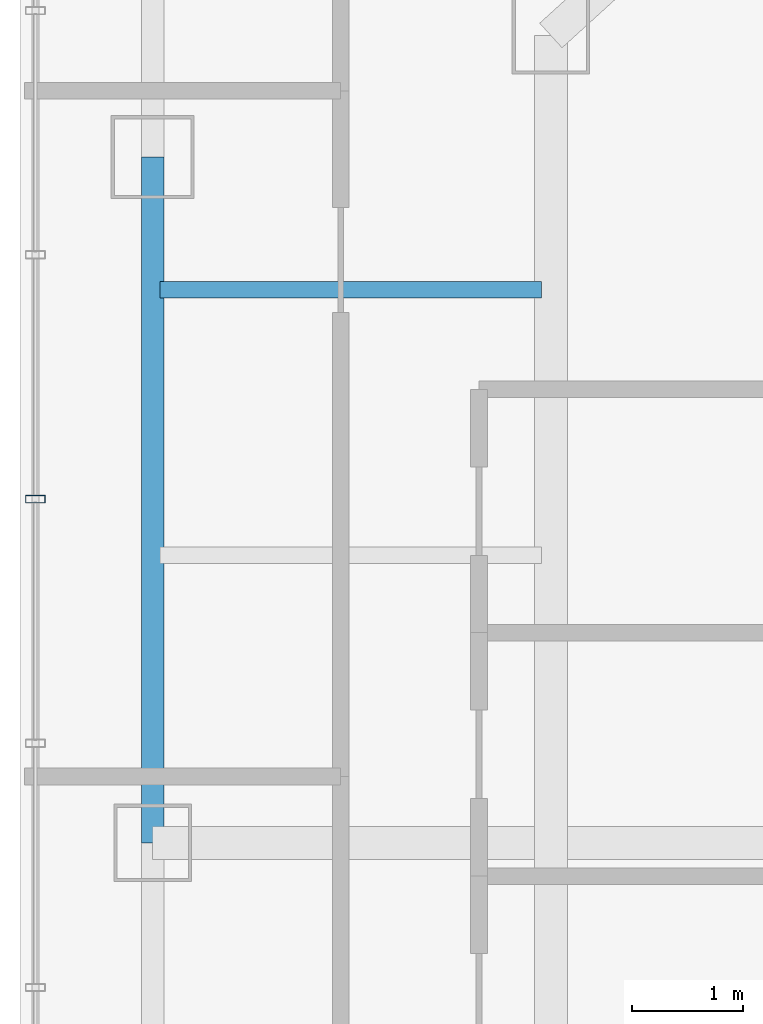
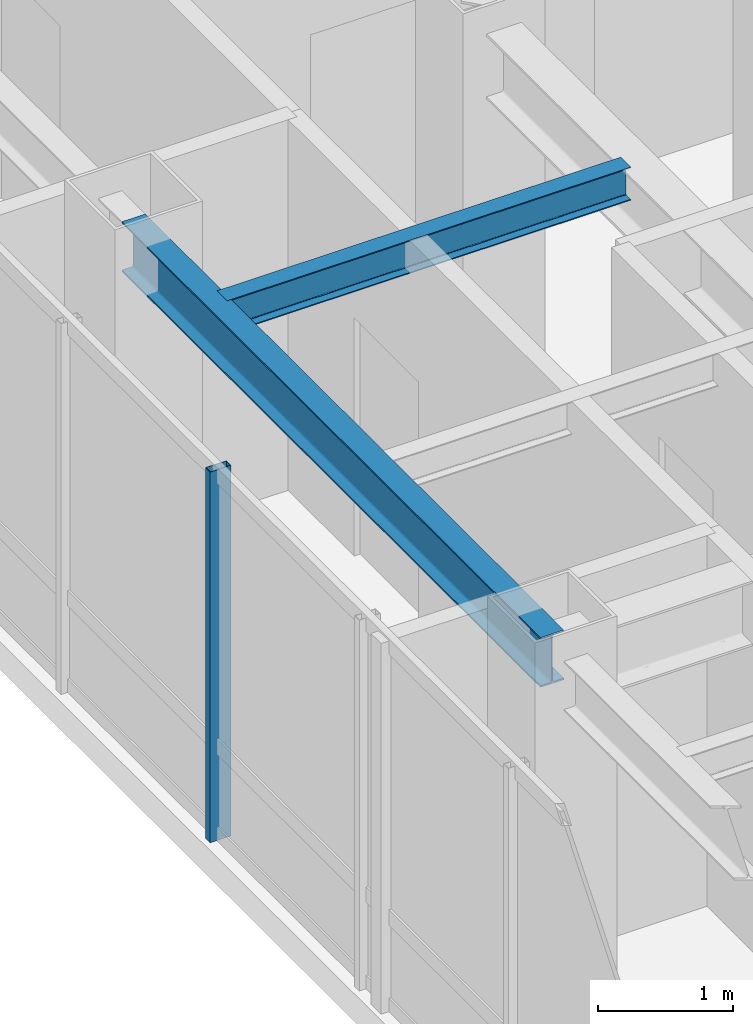
# One storey, part 8 of 26: 2 beams, 1 member, 1 element without a shape of its own.
"""IFC4 building model written with IfcOpenShell, lengths in metres."""

from ifc_helpers import new_model, si_unit, direction, frame, origin, origin_2d, place, context, subcontext, project, spatial, hollow_rectangle, i_section, extrude, material, layer, layer_set, material_profile, profile_set, type_object, element, aggregate, save


model = new_model("IFC4")

# Units and contexts
model_context = context("Model", 3, precision=1e-05, world=origin(), true_north=direction((0.0, 1.0)))
body_context = subcontext(model_context, "Body", "Model", "MODEL_VIEW")
ifc_project = project(units=[si_unit("LENGTHUNIT", "METRE"), si_unit("AREAUNIT", "SQUARE_METRE"), si_unit("VOLUMEUNIT", "CUBIC_METRE"), si_unit("PLANEANGLEUNIT", "RADIAN"), si_unit("MASSUNIT", "GRAM", prefix="KILO")], contexts=[model_context])

# Site, building, storey
site_placement = place(None, origin())
site = spatial("IfcSite", under=ifc_project, at=site_placement, CompositionType="ELEMENT")
building_placement = place(site_placement, origin())
building = spatial("IfcBuilding", under=site, at=building_placement, Name="Hatsunagi Terrace Concourse", CompositionType="ELEMENT")
storey_placement = place(building_placement, frame((0.0, 0.0, 195.14990234375)))
storey = spatial("IfcBuildingStorey", under=building, at=storey_placement, Name="L51", CompositionType="ELEMENT", Elevation=195.14990234375)

# Curtain wall, member
ifc_material_1 = material(Name="Anodised Aluminium Alloy 6063-T5", Category="aluminium")
ifc_layer = layer(ifc_material_1, 0.199951171875)
ifc_layer_set = layer_set([ifc_layer], Name="OfficeZone2_CW04")
curtain_wall_type = type_object("IfcCurtainWallType", Name="OfficeZone2_CW04", PredefinedType="NOTDEFINED", material=ifc_layer_set)
curtain_wall_placement = place(storey_placement, origin())
curtain_wall = element("IfcCurtainWall", 1, at=curtain_wall_placement, inside=storey, type_object=curtain_wall_type, Name="Unitised Curtain Wall CW-04 CW-L51-08", PredefinedType="NOTDEFINED")
ifc_material_2 = material(Name="Anodised Aluminium Alloy 6063-T5", Category="aluminium")
ifc_material_profile_1 = material_profile(ifc_material_2, hollow_rectangle(XDim=0.070068359375, YDim=0.179931640625, WallThickness=0.00390625, at=origin_2d()), Name="ALU-MUL-180x70x4")
ifc_profile_set_1 = profile_set([ifc_material_profile_1], Name="Anodised Aluminium Alloy 6063-T5")
member_type = type_object("IfcMemberType", Name="CurtainWallMullion_180x70", PredefinedType="MULLION", material=ifc_profile_set_1)
member_placement = place(storey_placement, frame((18.139892578125, 39.10791015625, 0.0), z_axis=(0.0, 0.0, 1.0), x_axis=(0.0, 1.0, 0.0)))
member = element("IfcMember", 2, at=member_placement, type_object=member_type, Name="Curtain Wall Mullion MUL-02", PredefinedType="MULLION", context=body_context, shape_type="SweptSolid", body=[
    extrude(hollow_rectangle(XDim=0.070068359375, YDim=0.179931640625, WallThickness=0.00390625, at=origin_2d()), origin(), (0.0, 0.0, 1.0), 3.35009765625),
])
aggregate(curtain_wall, [member])

# Beams
ifc_material_3 = material(Name="Steel SN490B", Category="steel")
ifc_material_profile_2 = material_profile(ifc_material_3, i_section(OverallWidth=0.14990234375, OverallDepth=0.300048828125, WebThickness=0.006591796875, FlangeThickness=0.009033203125, FilletRadius=0.010986328125, at=origin_2d()), Name="H-300x150x6.5x9")
ifc_profile_set_2 = profile_set([ifc_material_profile_2], Name="Steel SN490B")
beam_type_1 = type_object("IfcBeamType", Name="OfficeJoist_H_300x150", PredefinedType="JOIST", material=ifc_profile_set_2)
beam_1_placement = place(storey_placement, frame((19.264892578125, 41.0, 3.2001953125), z_axis=(1.0, 0.0, 0.0), x_axis=(0.0, 1.0, 0.0)))
element("IfcBeam", 3, at=beam_1_placement, inside=storey, type_object=beam_type_1, Name="Beam J-03 J-L51-W-19-410", PredefinedType="JOIST", context=body_context, shape_type="SweptSolid", body=[
    extrude(i_section(OverallWidth=0.14990234375, OverallDepth=0.300048828125, WebThickness=0.006591796875, FlangeThickness=0.009033203125, FilletRadius=0.010986328125, at=origin_2d()), origin(), (0.0, 0.0, 1.0), 3.4501953125),
])
ifc_material_4 = material(Name="Steel SN490B", Category="steel")
ifc_material_profile_3 = material_profile(ifc_material_4, i_section(OverallWidth=0.199951171875, OverallDepth=0.449951171875, WebThickness=0.009033203125, FlangeThickness=0.013916015625, FilletRadius=0.01611328125, at=origin_2d()), Name="H-450x200x9x14")
ifc_profile_set_3 = profile_set([ifc_material_profile_3], Name="Steel SN490B")
beam_type_2 = type_object("IfcBeamType", Name="PerimeterSpandrel_H_450x200", PredefinedType="SPANDREL", material=ifc_profile_set_3)
beam_2_placement = place(storey_placement, frame((19.199951171875, 36.0, 3.125), z_axis=(0.0, 1.0, 0.0), x_axis=(-1.0, 0.0, 0.0)))
element("IfcBeam", 4, at=beam_2_placement, inside=storey, type_object=beam_type_2, Name="Beam SP-02 BM-L51-NS-19-36", PredefinedType="SPANDREL", context=body_context, shape_type="SweptSolid", body=[
    extrude(i_section(OverallWidth=0.199951171875, OverallDepth=0.449951171875, WebThickness=0.009033203125, FlangeThickness=0.013916015625, FilletRadius=0.01611328125, at=origin_2d()), origin(), (0.0, 0.0, 1.0), 6.199951171875),
])

save(model, "model.ifc")
